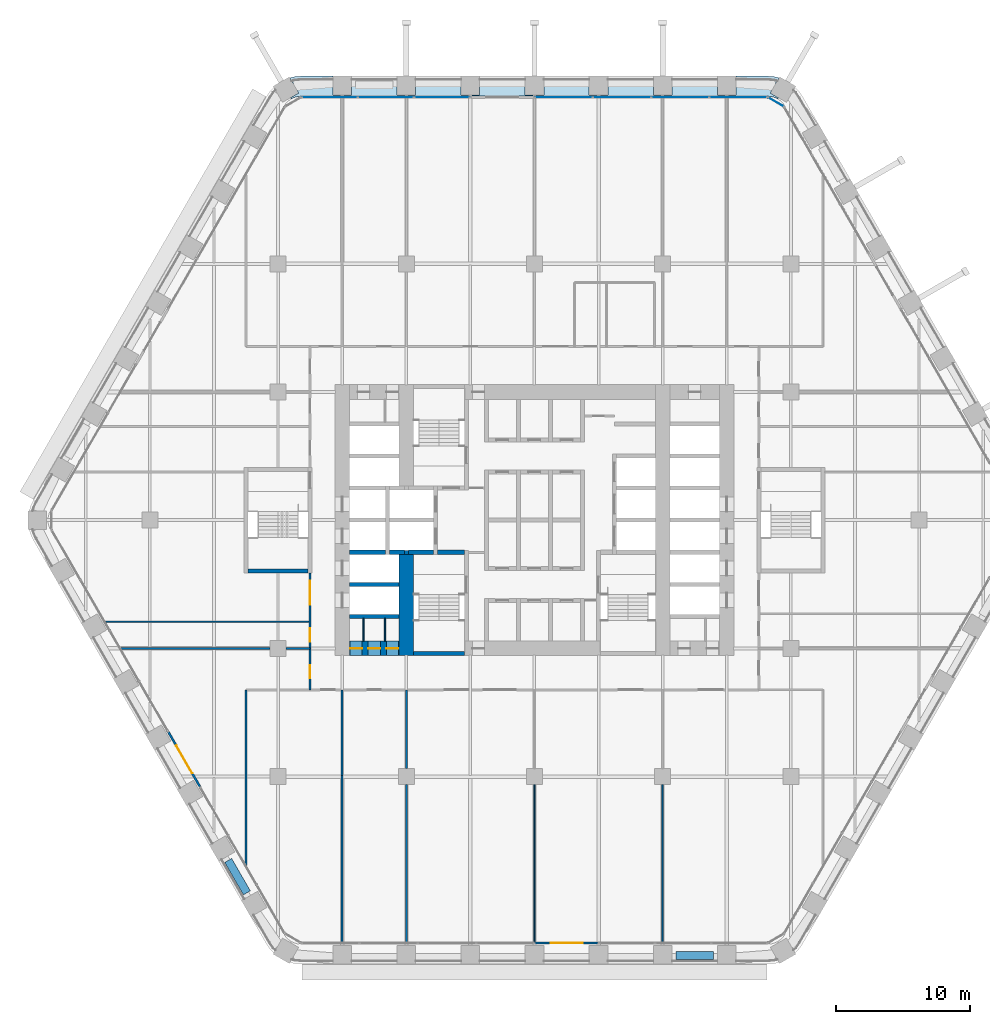
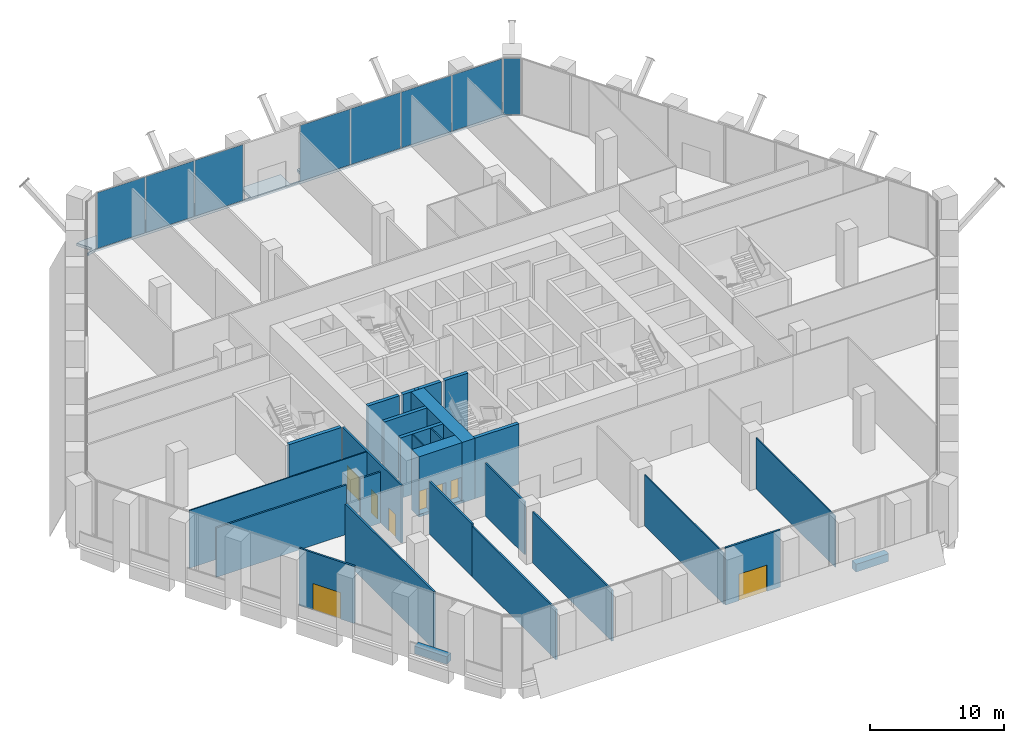
# One storey, part 17 of 29: 28 walls, 8 doors, 8 plates, 1 slab, 8 openings, 3 elements without a shape of their own.
"""IFC4 building model written with IfcOpenShell, lengths in metres."""

from ifc_helpers import new_model, si_unit, direction, frame, frame_2d, origin, origin_2d, place, context, subcontext, project, spatial, polyline, rectangle, outline, extrude, material, layer, layer_set, type_object, element, fill, aggregate, save


model = new_model("IFC4")

# Units and contexts
model_context = context("Model", 3, precision=1e-05, world=origin(), true_north=direction((0.0, 1.0)))
body_context = subcontext(model_context, "Body", "Model", "MODEL_VIEW")
ifc_project = project(units=[si_unit("LENGTHUNIT", "METRE"), si_unit("AREAUNIT", "SQUARE_METRE"), si_unit("VOLUMEUNIT", "CUBIC_METRE"), si_unit("PLANEANGLEUNIT", "RADIAN"), si_unit("MASSUNIT", "GRAM", prefix="KILO")], contexts=[model_context])

# Site, building, storey
site_placement = place(None, origin())
site = spatial("IfcSite", under=ifc_project, at=site_placement, CompositionType="ELEMENT")
building_placement = place(site_placement, origin())
building = spatial("IfcBuilding", under=site, at=building_placement, Name="Kolab Exchange Tower", CompositionType="ELEMENT")
storey_placement = place(building_placement, frame((0.0, 0.0, 33.39990234375)))
storey = spatial("IfcBuildingStorey", under=building, at=storey_placement, Name="L06", CompositionType="ELEMENT", Elevation=33.39990234375)

# Slab
ifc_material_1 = material(Name="Concrete C35/45", Category="concrete")
ifc_layer_1 = layer(ifc_material_1, 0.25)
ifc_layer_set_1 = layer_set([ifc_layer_1], Name="Concrete C35/45")
slab_type = type_object("IfcSlabType", Name="LOGGIA SLAB 250", PredefinedType="FLOOR", material=ifc_layer_set_1)
slab_placement = place(storey_placement, frame((0.0, 0.0, -0.25)))
element("IfcSlab", 1, at=slab_placement, inside=storey, type_object=slab_type, Name="slab/L06/loggia/0-0", PredefinedType="FLOOR", context=body_context, shape_type="SweptSolid", body=[
    extrude(outline(polyline([(18.218017578125, 31.554443359375), (18.26806640625, 31.64111328125), (17.66162109375, 31.990966796875), (18.31494140625, 33.122314453125), (17.989013671875, 33.209716796875), (17.468017578125, 33.25537109375), (15.10009765625, 33.25537109375), (15.10009765625, 31.85546875), (13.699951171875, 31.85546875), (13.699951171875, 33.25537109375), (10.300048828125, 33.25537109375), (10.300048828125, 31.85546875), (8.89990234375, 31.85546875), (8.89990234375, 33.25537109375), (5.5, 33.25537109375), (5.5, 31.85546875), (4.10009765625, 31.85546875), (4.10009765625, 33.25537109375), (0.699951171875, 33.25537109375), (0.699951171875, 31.85546875), (-0.699951171875, 31.85546875), (-0.699951171875, 33.25537109375), (-4.10009765625, 33.25537109375), (-4.10009765625, 31.85546875), (-5.5, 31.85546875), (-5.5, 33.25537109375), (-8.89990234375, 33.25537109375), (-8.89990234375, 31.85546875), (-10.300048828125, 31.85546875), (-10.300048828125, 33.25537109375), (-13.699951171875, 33.25537109375), (-13.699951171875, 31.85546875), (-15.10009765625, 31.85546875), (-15.10009765625, 33.25537109375), (-17.468017578125, 33.25537109375), (-17.989013671875, 33.209716796875), (-18.31494140625, 33.122314453125), (-17.66162109375, 31.990966796875), (-18.26806640625, 31.64111328125), (-18.218017578125, 31.554443359375), (-17.98095703125, 31.664794921875), (-17.728515625, 31.732666015625), (-17.468017578125, 31.75537109375), (17.468017578125, 31.75537109375), (17.728515625, 31.732666015625), (17.98095703125, 31.664794921875), (18.218017578125, 31.554443359375)])), origin(), (0.0, 0.0, 1.0), 0.25),
])

# Curtain wall, plates
ifc_material_2 = material(Name="Aluminium EN AW-6063 T6", Category="aluminium")
curtain_wall_type = type_object("IfcCurtainWallType", Name="UNITISED LOW ZONE CURTAIN WALL", PredefinedType="NOTDEFINED", material=ifc_material_2)
curtain_wall_1_placement = place(storey_placement, origin())
curtain_wall_1 = element("IfcCurtainWall", 2, at=curtain_wall_1_placement, inside=storey, type_object=curtain_wall_type, Name="cw/L06/F1-1", PredefinedType="NOTDEFINED")
ifc_material_3 = material(Name="Clear insulated glazing unit", Category="glass")
ifc_layer_2 = layer(ifc_material_3, 0.02392578125)
ifc_layer_set_2 = layer_set([ifc_layer_2], Name="Clear insulated glazing unit")
plate_type = type_object("IfcPlateType", Name="UNITISED LOW ZONE GLASS PANEL 24", PredefinedType="CURTAIN_PANEL", material=ifc_layer_set_2)
plate_1_placement = place(storey_placement, frame((-15.341552734375, 31.67529296875, 0.06005859375), z_axis=(0.0, 0.0, 1.0), x_axis=(1.0, 0.0, 0.0)))
plate_1 = element("IfcPlate", 3, at=plate_1_placement, type_object=plate_type, Name="CW1 panel 1.1", PredefinedType="CURTAIN_PANEL", context=body_context, shape_type="SweptSolid", body=[
    extrude(rectangle(XDim=4.132568359375, YDim=0.02392578125, at=origin_2d()), origin(), (0.0, 0.0, 1.0), 5.080078125),
])
plate_2_placement = place(storey_placement, frame((-11.134033203125, 31.67529296875, 0.06005859375), z_axis=(0.0, 0.0, 1.0), x_axis=(1.0, 0.0, 0.0)))
plate_2 = element("IfcPlate", 4, at=plate_2_placement, type_object=plate_type, Name="CW1 panel 2.1", PredefinedType="CURTAIN_PANEL", context=body_context, shape_type="SweptSolid", body=[
    extrude(rectangle(XDim=4.16259765625, YDim=0.02392578125, at=origin_2d()), origin(), (0.0, 0.0, 1.0), 5.080078125),
])
plate_3_placement = place(storey_placement, frame((-6.92626953125, 31.67529296875, 0.06005859375), z_axis=(0.0, 0.0, 1.0), x_axis=(1.0, 0.0, 0.0)))
plate_3 = element("IfcPlate", 5, at=plate_3_placement, type_object=plate_type, Name="CW1 panel 3.1", PredefinedType="CURTAIN_PANEL", context=body_context, shape_type="SweptSolid", body=[
    extrude(rectangle(XDim=4.132568359375, YDim=0.02392578125, at=origin_2d()), origin(), (0.0, 0.0, 1.0), 5.080078125),
])
aggregate(curtain_wall_1, [plate_1, plate_2, plate_3])

curtain_wall_2_placement = place(storey_placement, origin())
curtain_wall_2 = element("IfcCurtainWall", 6, at=curtain_wall_2_placement, inside=storey, type_object=curtain_wall_type, Name="cw/L06/F1-2", PredefinedType="NOTDEFINED")
plate_4_placement = place(storey_placement, frame((2.198486328125, 31.67529296875, 0.06005859375), z_axis=(0.0, 0.0, 1.0), x_axis=(1.0, 0.0, 0.0)))
plate_4 = element("IfcPlate", 7, at=plate_4_placement, type_object=plate_type, Name="CW1 panel 1.1", PredefinedType="CURTAIN_PANEL", context=body_context, shape_type="SweptSolid", body=[
    extrude(rectangle(XDim=4.277099609375, YDim=0.02392578125, at=origin_2d()), origin(), (0.0, 0.0, 1.0), 5.080078125),
])
plate_5_placement = place(storey_placement, frame((6.550537109375, 31.67529296875, 0.06005859375), z_axis=(0.0, 0.0, 1.0), x_axis=(1.0, 0.0, 0.0)))
plate_5 = element("IfcPlate", 8, at=plate_5_placement, type_object=plate_type, Name="CW1 panel 2.1", PredefinedType="CURTAIN_PANEL", context=body_context, shape_type="SweptSolid", body=[
    extrude(rectangle(XDim=4.306884765625, YDim=0.02392578125, at=origin_2d()), origin(), (0.0, 0.0, 1.0), 5.080078125),
])
plate_6_placement = place(storey_placement, frame((10.91748046875, 31.67529296875, 0.06005859375), z_axis=(0.0, 0.0, 1.0), x_axis=(1.0, 0.0, 0.0)))
plate_6 = element("IfcPlate", 9, at=plate_6_placement, type_object=plate_type, Name="CW1 panel 3.1", PredefinedType="CURTAIN_PANEL", context=body_context, shape_type="SweptSolid", body=[
    extrude(rectangle(XDim=4.306884765625, YDim=0.02392578125, at=origin_2d()), origin(), (0.0, 0.0, 1.0), 5.080078125),
])
plate_7_placement = place(storey_placement, frame((15.26953125, 31.67529296875, 0.06005859375), z_axis=(0.0, 0.0, 1.0), x_axis=(1.0, 0.0, 0.0)))
plate_7 = element("IfcPlate", 10, at=plate_7_placement, type_object=plate_type, Name="CW1 panel 4.1", PredefinedType="CURTAIN_PANEL", context=body_context, shape_type="SweptSolid", body=[
    extrude(rectangle(XDim=4.277099609375, YDim=0.02392578125, at=origin_2d()), origin(), (0.0, 0.0, 1.0), 5.080078125),
])
aggregate(curtain_wall_2, [plate_4, plate_5, plate_6, plate_7])

# Curtain wall, plate
curtain_wall_3_placement = place(storey_placement, origin())
curtain_wall_3 = element("IfcCurtainWall", 11, at=curtain_wall_3_placement, inside=storey, type_object=curtain_wall_type, Name="cw/L06/F1F2-corner", PredefinedType="NOTDEFINED")
plate_8_placement = place(storey_placement, frame((18.082763671875, 31.3203125, 0.06005859375), z_axis=(0.0, 0.0, 1.0), x_axis=(0.866025390869, -0.50000002237, 0.0)))
plate_8 = element("IfcPlate", 12, at=plate_8_placement, type_object=plate_type, Name="CW1 panel 1.1", PredefinedType="CURTAIN_PANEL", context=body_context, shape_type="SweptSolid", body=[
    extrude(rectangle(XDim=1.300048828125, YDim=0.02392578125, at=origin_2d()), origin(), (0.0, 0.0, 1.0), 5.080078125),
])
aggregate(curtain_wall_3, [plate_8])

# Wall, openings, doors
ifc_material_4 = material(Name="Concrete C80/95", Category="concrete")
ifc_layer_3 = layer(ifc_material_4, 1.10009765625)
ifc_layer_set_3 = layer_set([ifc_layer_3], Name="Concrete C80/95")
wall_type_1 = type_object("IfcWallType", Name="CORE WALL 1100 C80/95", PredefinedType="SHEAR", material=ifc_layer_set_3)
wall_1_placement = place(storey_placement, frame((-13.85009765625, -9.60009765625, -0.25), z_axis=(0.0, 0.0, 1.0), x_axis=(1.0, 0.0, 0.0)))
wall_1 = element("IfcWall", 13, at=wall_1_placement, inside=storey, type_object=wall_type_1, Name="wall/L06/core/002", PredefinedType="SHEAR", context=body_context, shape_type="SweptSolid", body=[
    extrude(rectangle(XDim=3.7001953125, YDim=1.10009765625, at=frame_2d((1.85009765625, 0.0))), origin(), (0.0, 0.0, 1.0), 5.5),
])
opening_1_placement = place(wall_1_placement, frame((0.050048828125, 0.0, 0.25)))
opening_1 = element("IfcOpeningElement", 14, at=opening_1_placement, cuts=wall_1, Name="Opening D6-112", PredefinedType="OPENING", context=body_context, shape_type="SweptSolid", body=[
    extrude(rectangle(XDim=0.89990234375, YDim=2.10009765625, at=frame_2d((0.449951171875, 1.050048828125))), frame((0.0, 0.56005859375, 0.0), z_axis=(0.0, -1.0, 0.0), x_axis=(1.0, 0.0, 0.0)), (0.0, 0.0, 1.0), 1.1201171875),
])
opening_2_placement = place(wall_1_placement, frame((1.39990234375, 0.0, 0.25)))
opening_2 = element("IfcOpeningElement", 15, at=opening_2_placement, cuts=wall_1, Name="Opening D6-113", PredefinedType="OPENING", context=body_context, shape_type="SweptSolid", body=[
    extrude(rectangle(XDim=0.89990234375, YDim=2.10009765625, at=frame_2d((0.449951171875, 1.050048828125))), frame((0.0, 0.56005859375, 0.0), z_axis=(0.0, -1.0, 0.0), x_axis=(1.0, 0.0, 0.0)), (0.0, 0.0, 1.0), 1.1201171875),
])
opening_3_placement = place(wall_1_placement, frame((2.75, 0.0, 0.25)))
opening_3 = element("IfcOpeningElement", 16, at=opening_3_placement, cuts=wall_1, Name="Opening D6-102", PredefinedType="OPENING", context=body_context, shape_type="SweptSolid", body=[
    extrude(rectangle(XDim=0.89990234375, YDim=2.10009765625, at=frame_2d((0.449951171875, 1.050048828125))), frame((0.0, 0.56005859375, 0.0), z_axis=(0.0, -1.0, 0.0), x_axis=(1.0, 0.0, 0.0)), (0.0, 0.0, 1.0), 1.1201171875),
])
ifc_material_5 = material(Name="Steel S235", Category="steel")
door_type_1 = type_object("IfcDoorType", Name="CORE DOOR 900 EI 120", OperationType="SINGLE_SWING_LEFT", PredefinedType="DOOR", material=ifc_material_5)
door_1_placement = place(opening_1_placement, origin())
door_1 = element("IfcDoor", 17, at=door_1_placement, inside=storey, type_object=door_type_1, Name="Service room door", OperationType="SINGLE_SWING_RIGHT", OverallHeight=2.10009765625, OverallWidth=0.89990234375, PredefinedType="DOOR", context=body_context, shape_type="SweptSolid", body=[
    extrude(rectangle(XDim=0.89990234375, YDim=2.10009765625, at=frame_2d((0.449951171875, 1.050048828125))), frame((0.0, 0.02490234375, 0.0), z_axis=(0.0, -1.0, 0.0), x_axis=(1.0, 0.0, 0.0)), (0.0, 0.0, 1.0), 0.050048828125),
])
fill(opening_1, door_1)
door_2_placement = place(opening_2_placement, origin())
door_2 = element("IfcDoor", 18, at=door_2_placement, inside=storey, type_object=door_type_1, Name="Service room door", OperationType="SINGLE_SWING_LEFT", OverallHeight=2.10009765625, OverallWidth=0.89990234375, PredefinedType="DOOR", context=body_context, shape_type="SweptSolid", body=[
    extrude(rectangle(XDim=0.89990234375, YDim=2.10009765625, at=frame_2d((0.449951171875, 1.050048828125))), frame((0.0, 0.02490234375, 0.0), z_axis=(0.0, -1.0, 0.0), x_axis=(1.0, 0.0, 0.0)), (0.0, 0.0, 1.0), 0.050048828125),
])
fill(opening_2, door_2)
door_3_placement = place(opening_3_placement, origin())
door_3 = element("IfcDoor", 19, at=door_3_placement, inside=storey, type_object=door_type_1, Name="Service room door", OperationType="SINGLE_SWING_LEFT", OverallHeight=2.10009765625, OverallWidth=0.89990234375, PredefinedType="DOOR", context=body_context, shape_type="SweptSolid", body=[
    extrude(rectangle(XDim=0.89990234375, YDim=2.10009765625, at=frame_2d((0.449951171875, 1.050048828125))), frame((0.0, 0.02490234375, 0.0), z_axis=(0.0, -1.0, 0.0), x_axis=(1.0, 0.0, 0.0)), (0.0, 0.0, 1.0), 0.050048828125),
])
fill(opening_3, door_3)

# Wall
wall_2_placement = place(storey_placement, frame((-9.60009765625, -10.14990234375, -0.25), z_axis=(0.0, 0.0, 1.0), x_axis=(0.0, 1.0, 0.0)))
element("IfcWall", 20, at=wall_2_placement, inside=storey, type_object=wall_type_1, Name="wall/L06/core/059", PredefinedType="SHEAR", context=body_context, shape_type="SweptSolid", body=[
    extrude(rectangle(XDim=7.599853515625, YDim=1.10009765625, at=frame_2d((3.7998046875, 0.0))), origin(), (0.0, 0.0, 1.0), 5.5),
])

# Wall, opening, door
ifc_layer_4 = layer(ifc_material_2, 0.159912109375)
ifc_layer_set_4 = layer_set([ifc_layer_4], Name="Aluminium EN AW-6063 T6")
wall_type_2 = type_object("IfcWallType", Name="DOOR SURROUND WALL 160 ALUMINIUM FRAMED", PredefinedType="PARTITIONING", material=ifc_layer_set_4)
wall_3_placement = place(storey_placement, frame((4.77001953125, -31.67529296875, 0.0), z_axis=(0.0, 0.0, 1.0), x_axis=(-1.0, 0.0, 0.0)))
wall_3 = element("IfcWall", 21, at=wall_3_placement, inside=storey, type_object=wall_type_2, Name="Door surround wall", PredefinedType="PARTITIONING", context=body_context, shape_type="SweptSolid", body=[
    extrude(rectangle(XDim=4.739990234375, YDim=0.159912109375, at=frame_2d((2.3701171875, 0.0))), origin(), (0.0, 0.0, 1.0), 5.2001953125),
])
opening_4_placement = place(wall_3_placement, frame((1.169921875, 0.0, 0.0)))
opening_4 = element("IfcOpeningElement", 22, at=opening_4_placement, cuts=wall_3, Name="Opening GD1-026", PredefinedType="OPENING", context=body_context, shape_type="SweptSolid", body=[
    extrude(rectangle(XDim=2.39990234375, YDim=2.39990234375, at=frame_2d((1.199951171875, 1.199951171875))), frame((0.0, 0.08984375, 0.0), z_axis=(0.0, -1.0, 0.0), x_axis=(1.0, 0.0, 0.0)), (0.0, 0.0, 1.0), 0.179931640625),
])
door_type_2 = type_object("IfcDoorType", Name="LOGGIA SLIDING GLASS DOOR 2400 X 2400", OperationType="DOUBLE_DOOR_SINGLE_SWING", PredefinedType="DOOR", material=ifc_material_2)
door_4_placement = place(opening_4_placement, origin())
door_4 = element("IfcDoor", 23, at=door_4_placement, inside=storey, type_object=door_type_2, Name="Loggia door", OperationType="DOUBLE_DOOR_SLIDING", OverallHeight=2.39990234375, OverallWidth=2.39990234375, PredefinedType="DOOR", context=body_context, shape_type="SweptSolid", body=[
    extrude(rectangle(XDim=2.39990234375, YDim=2.39990234375, at=frame_2d((1.199951171875, 1.199951171875))), frame((0.0, 0.02490234375, 0.0), z_axis=(0.0, -1.0, 0.0), x_axis=(1.0, 0.0, 0.0)), (0.0, 0.0, 1.0), 0.050048828125),
])
fill(opening_4, door_4)

wall_4_placement = place(storey_placement, frame((-25.046630859375, -19.96875, 0.0), z_axis=(0.0, 0.0, 1.0), x_axis=(-0.5000167099, 0.866015756104, 0.0)))
wall_4 = element("IfcWall", 24, at=wall_4_placement, inside=storey, type_object=wall_type_2, Name="Door surround wall", PredefinedType="PARTITIONING", context=body_context, shape_type="SweptSolid", body=[
    extrude(rectangle(XDim=4.739990234375, YDim=0.159912109375, at=frame_2d((2.3701171875, 0.0))), origin(), (0.0, 0.0, 1.0), 5.2001953125),
])
opening_5_placement = place(wall_4_placement, frame((1.169921875, 0.0, 0.0)))
opening_5 = element("IfcOpeningElement", 25, at=opening_5_placement, cuts=wall_4, Name="Opening GD1-027", PredefinedType="OPENING", context=body_context, shape_type="SweptSolid", body=[
    extrude(rectangle(XDim=2.39990234375, YDim=2.39990234375, at=frame_2d((1.199951171875, 1.199951171875))), frame((0.0, 0.08984375, 0.0), z_axis=(0.0, -1.0, 0.0), x_axis=(1.0, 0.0, 0.0)), (0.0, 0.0, 1.0), 0.179931640625),
])
door_5_placement = place(opening_5_placement, origin())
door_5 = element("IfcDoor", 26, at=door_5_placement, inside=storey, type_object=door_type_2, Name="Loggia door", OperationType="DOUBLE_DOOR_SLIDING", OverallHeight=2.39990234375, OverallWidth=2.39990234375, PredefinedType="DOOR", context=body_context, shape_type="SweptSolid", body=[
    extrude(rectangle(XDim=2.39990234375, YDim=2.39990234375, at=frame_2d((1.199951171875, 1.199951171875))), frame((0.0, 0.02490234375, 0.0), z_axis=(0.0, -1.0, 0.0), x_axis=(1.0, 0.0, 0.0)), (0.0, 0.0, 1.0), 0.050048828125),
])
fill(opening_5, door_5)

# Walls
ifc_material_6 = material(Name="Concrete C50/60", Category="concrete")
ifc_layer_5 = layer(ifc_material_6, 0.300048828125)
ifc_layer_set_5 = layer_set([ifc_layer_5], Name="Concrete C50/60")
wall_type_3 = type_object("IfcWallType", Name="LIFT SHAFT WALL 300 C50/60", PredefinedType="STANDARD", material=ifc_layer_set_5)
for number, where, z_axis, x_axis, name in (
    (27, (-13.85009765625, -7.199951171875, -0.25), (0.0, 0.0, 1.0), (1.0, 0.0, 0.0), "wall/L06/core/005"),
    (28, (-13.85009765625, -4.800048828125, -0.25), (0.0, 0.0, 1.0), (1.0, 0.0, 0.0), "wall/L06/core/010"),
):
    element("IfcWall", number, at=place(storey_placement, frame(where, z_axis=z_axis, x_axis=x_axis)), inside=storey, type_object=wall_type_3, Name=name, PredefinedType="STANDARD", context=body_context, shape_type="SweptSolid", body=[
        extrude(rectangle(XDim=3.7001953125, YDim=0.300048828125, at=frame_2d((1.85009765625, 0.0))), origin(), (0.0, 0.0, 1.0), 5.5),
    ])
wall_5_placement = place(storey_placement, frame((-13.85009765625, -2.39990234375, -0.25), z_axis=(0.0, 0.0, 1.0), x_axis=(1.0, 0.0, 0.0)))
element("IfcWall", 29, at=wall_5_placement, inside=storey, type_object=wall_type_3, Name="wall/L06/core/017", PredefinedType="STANDARD", context=body_context, shape_type="SweptSolid", body=[
    extrude(rectangle(XDim=2.7001953125, YDim=0.300048828125, at=frame_2d((1.35009765625, 0.0))), origin(), (0.0, 0.0, 1.0), 5.5),
])
wall_6_placement = place(storey_placement, frame((-10.85009765625, -2.39990234375, -0.25), z_axis=(0.0, 0.0, 1.0), x_axis=(1.0, 0.0, 0.0)))
element("IfcWall", 30, at=wall_6_placement, inside=storey, type_object=wall_type_3, Name="wall/L06/core/018", PredefinedType="STANDARD", context=body_context, shape_type="SweptSolid", body=[
    extrude(rectangle(XDim=1.10009765625, YDim=0.300048828125, at=frame_2d((0.550048828125, 0.0))), origin(), (0.0, 0.0, 1.0), 5.5),
])
ifc_material_7 = material(Name="Gypsum board", Category="gypsum")
ifc_layer_6 = layer(ifc_material_7, 0.10009765625)
ifc_layer_set_6 = layer_set([ifc_layer_6], Name="Gypsum board")
wall_type_4 = type_object("IfcWallType", Name="PARTITION 100", PredefinedType="PARTITIONING", material=ifc_layer_set_6)
wall_7_placement = place(storey_placement, frame((9.60009765625, -31.58544921875, 0.0), z_axis=(0.0, 0.0, 1.0), x_axis=(0.0, 1.0, 0.0)))
element("IfcWall", 31, at=wall_7_placement, inside=storey, type_object=wall_type_4, Name="Partition 006", PredefinedType="PARTITIONING", context=body_context, shape_type="SweptSolid", body=[
    extrude(rectangle(XDim=11.785400390625, YDim=0.10009765625, at=frame_2d((5.892578125, 0.0))), origin(), (0.0, 0.0, 1.0), 4.64208984375),
])
wall_8_placement = place(storey_placement, frame((0.0, -31.595458984375, 0.0), z_axis=(0.0, 0.0, 1.0), x_axis=(0.0, 1.0, 0.0)))
element("IfcWall", 32, at=wall_8_placement, inside=storey, type_object=wall_type_4, Name="Partition 013", PredefinedType="PARTITIONING", context=body_context, shape_type="SweptSolid", body=[
    extrude(rectangle(XDim=11.79541015625, YDim=0.10009765625, at=frame_2d((5.897705078125, 0.0))), origin(), (0.0, 0.0, 1.0), 4.64208984375),
])
for number, where, z_axis, x_axis, name in (
    (33, (-11.199951171875, -9.050048828125, 0.0), (0.0, 0.0, 1.0), (0.0, 1.0, 0.0), "Partition 021"),
    (34, (-12.800048828125, -9.050048828125, 0.0), (0.0, 0.0, 1.0), (0.0, 1.0, 0.0), "Partition 023"),
):
    element("IfcWall", number, at=place(storey_placement, frame(where, z_axis=z_axis, x_axis=x_axis)), inside=storey, type_object=wall_type_4, Name=name, PredefinedType="PARTITIONING", context=body_context, shape_type="SweptSolid", body=[
        extrude(rectangle(XDim=1.699951171875, YDim=0.10009765625, at=frame_2d((0.85009765625, 0.0))), origin(), (0.0, 0.0, 1.0), 5.25),
    ])
wall_9_placement = place(storey_placement, frame((-32.1416015625, -7.60009765625, 0.0), z_axis=(0.0, 0.0, 1.0), x_axis=(1.0, 0.0, 0.0)))
element("IfcWall", 35, at=wall_9_placement, inside=storey, type_object=wall_type_4, Name="Partition 036", PredefinedType="PARTITIONING", context=body_context, shape_type="SweptSolid", body=[
    extrude(rectangle(XDim=15.341552734375, YDim=0.10009765625, at=frame_2d((7.6708984375, 0.0))), origin(), (0.0, 0.0, 1.0), 5.25),
])
ifc_layer_7 = layer(ifc_material_7, 0.14990234375)
ifc_layer_set_7 = layer_set([ifc_layer_7], Name="Gypsum board")
wall_type_5 = type_object("IfcWallType", Name="PARTITION 150 FIRE-RATED", PredefinedType="PARTITIONING", material=ifc_layer_set_7)
wall_10_placement = place(storey_placement, frame((-9.60009765625, -31.58544921875, 0.0), z_axis=(0.0, 0.0, 1.0), x_axis=(0.0, 1.0, 0.0)))
element("IfcWall", 36, at=wall_10_placement, inside=storey, type_object=wall_type_5, Name="Partition 017", PredefinedType="PARTITIONING", context=body_context, shape_type="SweptSolid", body=[
    extrude(rectangle(XDim=11.785400390625, YDim=0.14990234375, at=frame_2d((5.892578125, 0.0))), origin(), (0.0, 0.0, 1.0), 4.64208984375),
])
wall_11_placement = place(storey_placement, frame((-9.60009765625, -18.60009765625, 0.0), z_axis=(0.0, 0.0, 1.0), x_axis=(0.0, 1.0, 0.0)))
element("IfcWall", 37, at=wall_11_placement, inside=storey, type_object=wall_type_5, Name="Partition 018", PredefinedType="PARTITIONING", context=body_context, shape_type="SweptSolid", body=[
    extrude(rectangle(XDim=5.900146484375, YDim=0.14990234375, at=frame_2d((2.9501953125, 0.0))), origin(), (0.0, 0.0, 1.0), 4.793212890625),
])
wall_12_placement = place(storey_placement, frame((-14.39990234375, -31.58544921875, 0.0), z_axis=(0.0, 0.0, 1.0), x_axis=(0.0, 1.0, 0.0)))
element("IfcWall", 38, at=wall_12_placement, inside=storey, type_object=wall_type_5, Name="Partition 024", PredefinedType="PARTITIONING", context=body_context, shape_type="SweptSolid", body=[
    extrude(rectangle(XDim=12.472412109375, YDim=0.14990234375, at=frame_2d((6.236328125, 0.0))), origin(), (0.0, 0.0, 1.0), 4.566162109375),
])
wall_13_placement = place(storey_placement, frame((-14.39990234375, -19.113037109375, 0.0), z_axis=(0.0, 0.0, 1.0), x_axis=(0.0, 1.0, 0.0)))
element("IfcWall", 39, at=wall_13_placement, inside=storey, type_object=wall_type_5, Name="Partition 024", PredefinedType="PARTITIONING", context=body_context, shape_type="SweptSolid", body=[
    extrude(rectangle(XDim=6.4130859375, YDim=0.14990234375, at=frame_2d((3.20654296875, 0.0))), origin(), (0.0, 0.0, 1.0), 4.793212890625),
])

# Wall, openings, doors
wall_14_placement = place(storey_placement, frame((-16.800048828125, -12.699951171875, 0.0), z_axis=(0.0, 0.0, 1.0), x_axis=(0.0, 1.0, 0.0)))
wall_14 = element("IfcWall", 40, at=wall_14_placement, inside=storey, type_object=wall_type_5, Name="Partition 026", PredefinedType="PARTITIONING", context=body_context, shape_type="SweptSolid", body=[
    extrude(rectangle(XDim=8.75, YDim=0.14990234375, at=frame_2d((4.375, 0.0))), origin(), (0.0, 0.0, 1.0), 5.25),
])
opening_6_placement = place(wall_14_placement, frame((0.85009765625, 0.0, 0.0)))
opening_6 = element("IfcOpeningElement", 41, at=opening_6_placement, cuts=wall_14, Name="Opening D1-078", PredefinedType="OPENING", context=body_context, shape_type="SweptSolid", body=[
    extrude(rectangle(XDim=1.0, YDim=2.10009765625, at=frame_2d((0.5, 1.050048828125))), frame((0.0, 0.0849609375, 0.0), z_axis=(0.0, -1.0, 0.0), x_axis=(1.0, 0.0, 0.0)), (0.0, 0.0, 1.0), 0.169921875),
])
opening_7_placement = place(wall_14_placement, frame((3.60009765625, 0.0, 0.0)))
opening_7 = element("IfcOpeningElement", 42, at=opening_7_placement, cuts=wall_14, Name="Opening D1-087", PredefinedType="OPENING", context=body_context, shape_type="SweptSolid", body=[
    extrude(rectangle(XDim=1.0, YDim=2.10009765625, at=frame_2d((0.5, 1.050048828125))), frame((0.0, 0.0849609375, 0.0), z_axis=(0.0, -1.0, 0.0), x_axis=(1.0, 0.0, 0.0)), (0.0, 0.0, 1.0), 0.169921875),
])
opening_8_placement = place(wall_14_placement, frame((6.375, 0.0, 0.0)))
opening_8 = element("IfcOpeningElement", 43, at=opening_8_placement, cuts=wall_14, Name="Opening D2-019", PredefinedType="OPENING", context=body_context, shape_type="SweptSolid", body=[
    extrude(rectangle(XDim=1.800048828125, YDim=2.10009765625, at=frame_2d((0.89990234375, 1.050048828125))), frame((0.0, 0.0849609375, 0.0), z_axis=(0.0, -1.0, 0.0), x_axis=(1.0, 0.0, 0.0)), (0.0, 0.0, 1.0), 0.169921875),
])
door_type_3 = type_object("IfcDoorType", Name="DOUBLE DOOR 1800 FD60", OperationType="DOUBLE_DOOR_SINGLE_SWING", PredefinedType="DOOR", material=ifc_material_5)
door_6_placement = place(opening_8_placement, origin())
door_6 = element("IfcDoor", 44, at=door_6_placement, inside=storey, type_object=door_type_3, Name="Door L06-068", OperationType="SINGLE_SWING_RIGHT", OverallHeight=2.10009765625, OverallWidth=1.800048828125, PredefinedType="DOOR", context=body_context, shape_type="SweptSolid", body=[
    extrude(rectangle(XDim=1.800048828125, YDim=2.10009765625, at=frame_2d((0.89990234375, 1.050048828125))), frame((0.0, 0.02490234375, 0.0), z_axis=(0.0, -1.0, 0.0), x_axis=(1.0, 0.0, 0.0)), (0.0, 0.0, 1.0), 0.050048828125),
])
fill(opening_8, door_6)
door_type_4 = type_object("IfcDoorType", Name="FLUSH DOOR 1000 FD60", OperationType="SINGLE_SWING_LEFT", PredefinedType="DOOR", material=ifc_material_5)
door_7_placement = place(opening_6_placement, origin())
door_7 = element("IfcDoor", 45, at=door_7_placement, inside=storey, type_object=door_type_4, Name="Door L06-066", OperationType="SINGLE_SWING_LEFT", OverallHeight=2.10009765625, OverallWidth=1.0, PredefinedType="DOOR", context=body_context, shape_type="SweptSolid", body=[
    extrude(rectangle(XDim=1.0, YDim=2.10009765625, at=frame_2d((0.5, 1.050048828125))), frame((0.0, 0.02490234375, 0.0), z_axis=(0.0, -1.0, 0.0), x_axis=(1.0, 0.0, 0.0)), (0.0, 0.0, 1.0), 0.050048828125),
])
fill(opening_6, door_7)
door_8_placement = place(opening_7_placement, origin())
door_8 = element("IfcDoor", 46, at=door_8_placement, inside=storey, type_object=door_type_4, Name="Door L06-067", OperationType="SINGLE_SWING_LEFT", OverallHeight=2.10009765625, OverallWidth=1.0, PredefinedType="DOOR", context=body_context, shape_type="SweptSolid", body=[
    extrude(rectangle(XDim=1.0, YDim=2.10009765625, at=frame_2d((0.5, 1.050048828125))), frame((0.0, 0.02490234375, 0.0), z_axis=(0.0, -1.0, 0.0), x_axis=(1.0, 0.0, 0.0)), (0.0, 0.0, 1.0), 0.050048828125),
])
fill(opening_7, door_8)

# Walls
wall_15_placement = place(storey_placement, frame((-21.60009765625, -25.8583984375, 0.0), z_axis=(0.0, 0.0, 1.0), x_axis=(0.0, 1.0, 0.0)))
element("IfcWall", 47, at=wall_15_placement, inside=storey, type_object=wall_type_5, Name="Partition 028", PredefinedType="PARTITIONING", context=body_context, shape_type="SweptSolid", body=[
    extrude(rectangle(XDim=13.158447265625, YDim=0.14990234375, at=frame_2d((6.5791015625, 0.0))), origin(), (0.0, 0.0, 1.0), 5.25),
])
wall_16_placement = place(storey_placement, frame((-30.98681640625, -9.60009765625, 0.0), z_axis=(0.0, 0.0, 1.0), x_axis=(1.0, 0.0, 0.0)))
element("IfcWall", 48, at=wall_16_placement, inside=storey, type_object=wall_type_5, Name="Partition 034", PredefinedType="PARTITIONING", context=body_context, shape_type="SweptSolid", body=[
    extrude(rectangle(XDim=11.186767578125, YDim=0.14990234375, at=frame_2d((5.59326171875, 0.0))), origin(), (0.0, 0.0, 1.0), 4.488037109375),
])
wall_17_placement = place(storey_placement, frame((-18.60009765625, -9.60009765625, 0.0), z_axis=(0.0, 0.0, 1.0), x_axis=(1.0, 0.0, 0.0)))
element("IfcWall", 49, at=wall_17_placement, inside=storey, type_object=wall_type_5, Name="Partition 035", PredefinedType="PARTITIONING", context=body_context, shape_type="SweptSolid", body=[
    extrude(rectangle(XDim=1.800048828125, YDim=0.14990234375, at=frame_2d((0.89990234375, 0.0))), origin(), (0.0, 0.0, 1.0), 4.64208984375),
])
ifc_material_8 = material(Name="Granite facing", Category="masonry")
ifc_layer_8 = layer(ifc_material_8, 0.0400390625)
ifc_material_9 = material(Name="Concrete C40/50 precast", Category="concrete")
ifc_layer_9 = layer(ifc_material_9, 0.56005859375)
ifc_layer_set_8 = layer_set([ifc_layer_8, ifc_layer_9], Name="Concrete C40/50 precast")
wall_type_6 = type_object("IfcWallType", Name="PLANTER BOX 600 X 700 SOIL DEPTH 550", PredefinedType="USERDEFINED", material=ifc_layer_set_8)
for number, where, z_axis, x_axis, name in (
    (50, (13.39990234375, -32.60546875, 0.0), (0.0, 0.0, 1.0), (-1.0, 0.0, 0.0), "Planter"),
    (51, (-21.537109375, -27.907470703125, 0.0), (0.0, 0.0, 1.0), (-0.49998411664, 0.866034573852, 0.0), "Planter"),
):
    element("IfcWall", number, at=place(storey_placement, frame(where, z_axis=z_axis, x_axis=x_axis)), inside=storey, type_object=wall_type_6, Name=name, ObjectType="PLANTER", PredefinedType="USERDEFINED", context=body_context, shape_type="SweptSolid", body=[
        extrude(rectangle(XDim=2.7998046875, YDim=0.60009765625, at=frame_2d((1.39990234375, 0.0))), origin(), (0.0, 0.0, 1.0), 0.7001953125),
    ])
ifc_layer_10 = layer(ifc_material_6, 0.300048828125)
ifc_layer_set_9 = layer_set([ifc_layer_10], Name="Concrete C50/60")
wall_type_7 = type_object("IfcWallType", Name="STAIR ENCLOSURE WALL 300 C50/60", PredefinedType="STANDARD", material=ifc_layer_set_9)
wall_18_placement = place(storey_placement, frame((-9.050048828125, -10.0, -0.25), z_axis=(0.0, 0.0, 1.0), x_axis=(1.0, 0.0, 0.0)))
element("IfcWall", 52, at=wall_18_placement, inside=storey, type_object=wall_type_7, Name="wall/L06/core/000", PredefinedType="STANDARD", context=body_context, shape_type="SweptSolid", body=[
    extrude(rectangle(XDim=3.800048828125, YDim=0.300048828125, at=frame_2d((1.89990234375, 0.0))), origin(), (0.0, 0.0, 1.0), 5.5),
])
wall_19_placement = place(storey_placement, frame((-21.449951171875, -3.800048828125, -0.25), z_axis=(0.0, 0.0, 1.0), x_axis=(1.0, 0.0, 0.0)))
element("IfcWall", 53, at=wall_19_placement, inside=storey, type_object=wall_type_7, Name="wall/L06/core/012", PredefinedType="STANDARD", context=body_context, shape_type="SweptSolid", body=[
    extrude(rectangle(XDim=4.5, YDim=0.300048828125, at=frame_2d((2.25, 0.0))), origin(), (0.0, 0.0, 1.0), 5.5),
])
wall_20_placement = place(storey_placement, frame((-9.449951171875, -2.39990234375, -0.25), z_axis=(0.0, 0.0, 1.0), x_axis=(1.0, 0.0, 0.0)))
element("IfcWall", 54, at=wall_20_placement, inside=storey, type_object=wall_type_7, Name="wall/L06/core/019", PredefinedType="STANDARD", context=body_context, shape_type="SweptSolid", body=[
    extrude(rectangle(XDim=1.89990234375, YDim=0.300048828125, at=frame_2d((0.949951171875, 0.0))), origin(), (0.0, 0.0, 1.0), 5.5),
])
wall_21_placement = place(storey_placement, frame((-7.25, -2.39990234375, -0.25), z_axis=(0.0, 0.0, 1.0), x_axis=(1.0, 0.0, 0.0)))
element("IfcWall", 55, at=wall_21_placement, inside=storey, type_object=wall_type_7, Name="wall/L06/core/020", PredefinedType="STANDARD", context=body_context, shape_type="SweptSolid", body=[
    extrude(rectangle(XDim=2.0, YDim=0.300048828125, at=frame_2d((1.0, 0.0))), origin(), (0.0, 0.0, 1.0), 5.5),
])
wall_22_placement = place(storey_placement, frame((-9.60009765625, -2.550048828125, -0.25), z_axis=(0.0, 0.0, 1.0), x_axis=(0.0, 1.0, 0.0)))
element("IfcWall", 56, at=wall_22_placement, inside=storey, type_object=wall_type_7, Name="wall/L06/core/060", PredefinedType="STANDARD", context=body_context, shape_type="SweptSolid", body=[
    extrude(rectangle(XDim=0.300048828125, YDim=0.300048828125, at=frame_2d((0.14990234375, 0.0))), origin(), (0.0, 0.0, 1.0), 5.5),
])

save(model, "model.ifc")
